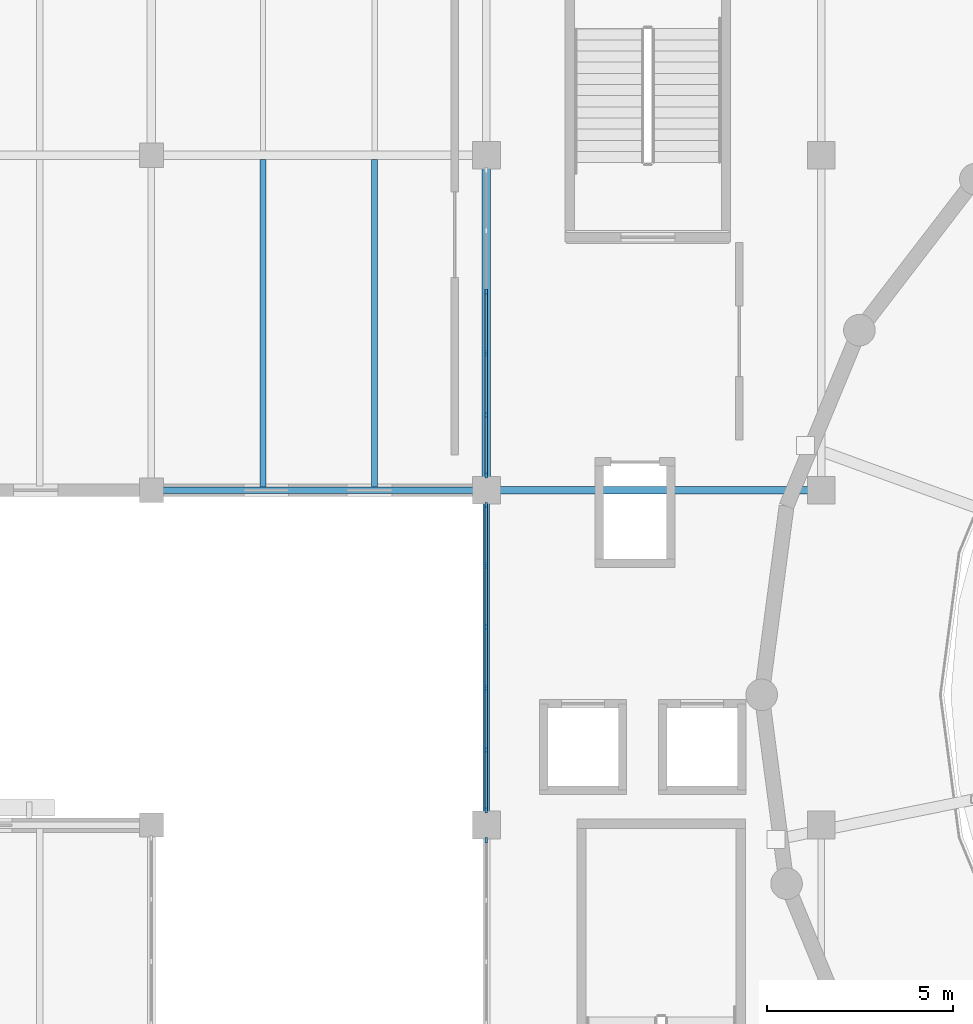
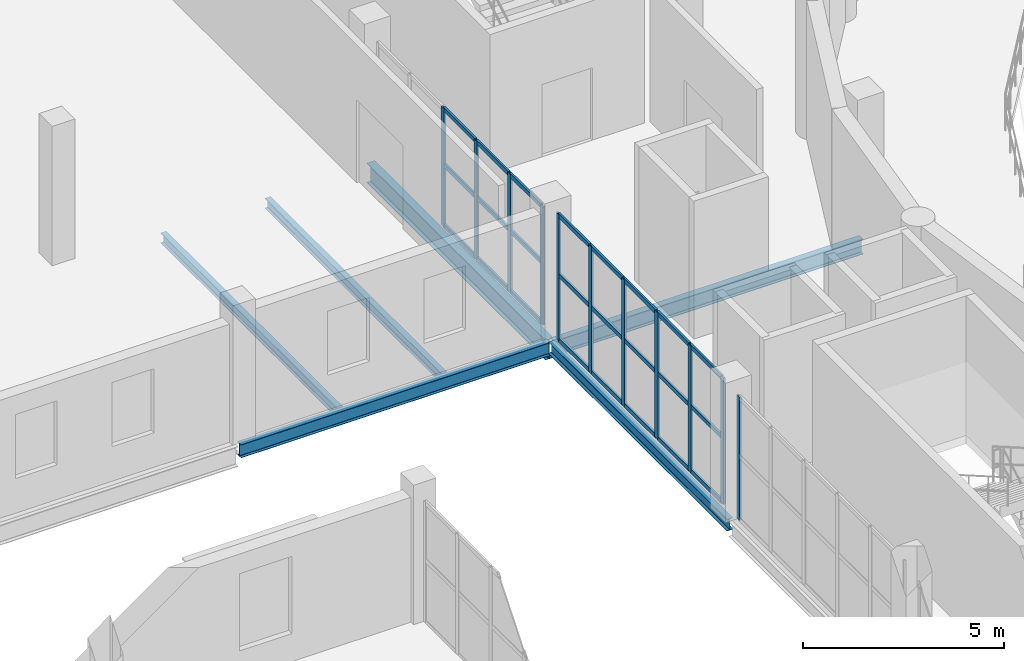
# One storey, part 26 of 85: 35 members, 6 beams, 3 elements without a shape of their own.
"""IFC4 building model written with IfcOpenShell, lengths in metres."""

import ifcopenshell
import ifcopenshell.guid

model = None  # the IFC model being written
_history = None  # IfcOwnerHistory: only IFC2X3 demands one
_inside = {}  # id of a spatial element -> (the spatial element, [elements in it])
_under = {}  # id of a project, library or spatial element -> (it, [spatial elements below it])
_declared = {}  # id of a project -> (the project, [libraries it declares])
_typed = {}  # id of a type object -> (the type object, [elements of that type])
_made_of = {}  # id of a material, layer set ... -> (it, [elements and type objects made of it])


def new_model(schema):
    """Start an empty IFC model of exactly this schema.

    Asked for "IFC4X3", IfcOpenShell would pick the latest addendum, in which some entities
    have other attributes; the version numbers below select the first issue.
    IFC2X3 requires an IfcOwnerHistory on every rooted entity: one is made here for all.
    """
    global model, _history
    if schema == "IFC4X3":
        model = ifcopenshell.file(schema_version=(4, 3, 0, 0))
    else:
        model = ifcopenshell.file(schema=schema)
    _inside.clear()
    _under.clear()
    _declared.clear()
    _typed.clear()
    _made_of.clear()
    _history = None
    if model.schema == "IFC2X3":
        org = make("IfcOrganization", Name="unknown")
        user = make(
            "IfcPersonAndOrganization",
            ThePerson=make("IfcPerson", FamilyName="unknown"),
            TheOrganization=org,
        )
        app = make(
            "IfcApplication",
            ApplicationDeveloper=org,
            Version="unknown",
            ApplicationFullName="unknown",
            ApplicationIdentifier="unknown",
        )
        _history = make(
            "IfcOwnerHistory",
            OwningUser=user,
            OwningApplication=app,
            ChangeAction="ADDED",
            CreationDate=0,
        )
    return model


def make(cls, **values):
    """One entity of the class cls with the attributes given. An attribute that is None is left unset."""
    return model.create_entity(
        cls, **{name: value for name, value in values.items() if value is not None}
    )


def rooted(cls, **values):
    """An entity with a GlobalId (a new one), such as an element, a storey or a relation."""
    return make(cls, GlobalId=ifcopenshell.guid.new(), OwnerHistory=_history, **values)


def si_unit(unit_type, name, prefix=None):
    """IfcSIUnit, for example si_unit("LENGTHUNIT", "METRE", prefix="MILLI")."""
    return make("IfcSIUnit", UnitType=unit_type, Prefix=prefix, Name=name)


def assignment(units):
    """IfcUnitAssignment: the units of a project."""
    return None if units is None else make("IfcUnitAssignment", Units=units)


def point(xyz):
    """IfcCartesianPoint."""
    return None if xyz is None else make("IfcCartesianPoint", Coordinates=xyz)


def direction(xyz):
    """IfcDirection."""
    return None if xyz is None else make("IfcDirection", DirectionRatios=xyz)


def frame(location, z_axis=None, x_axis=None):
    """IfcAxis2Placement3D, a coordinate frame: its origin and axes. An axis left out is left unset."""
    return make(
        "IfcAxis2Placement3D",
        Location=point(location),
        Axis=direction(z_axis),
        RefDirection=direction(x_axis),
    )


def frame_2d(location, x_axis=None):
    """IfcAxis2Placement2D, a coordinate frame in the plane: its origin and x axis."""
    return make(
        "IfcAxis2Placement2D", Location=point(location), RefDirection=direction(x_axis)
    )


def origin():
    """The frame at (0, 0, 0) with its axes left unset."""
    return frame((0.0, 0.0, 0.0))


def origin_2d():
    """The frame at (0, 0) in the plane with its x axis left unset."""
    return frame_2d((0.0, 0.0))


def place(relative_to, where):
    """IfcLocalPlacement: puts the frame where relative to a parent placement (None: the world)."""
    return make(
        "IfcLocalPlacement", PlacementRelTo=relative_to, RelativePlacement=where
    )


def context(
    kind, dimensions, precision=None, world=None, true_north=None, identifier=None
):
    """IfcGeometricRepresentationContext, for example the 3D "Model" context."""
    return make(
        "IfcGeometricRepresentationContext",
        ContextIdentifier=identifier,
        ContextType=kind,
        CoordinateSpaceDimension=dimensions,
        Precision=precision,
        WorldCoordinateSystem=world,
        TrueNorth=true_north,
    )


def subcontext(parent, identifier, kind, view, scale=None):
    """IfcGeometricRepresentationSubContext, for example "Body" below "Model"."""
    return make(
        "IfcGeometricRepresentationSubContext",
        ContextIdentifier=identifier,
        ContextType=kind,
        ParentContext=parent,
        TargetScale=scale,
        TargetView=view,
    )


def project(units=None, contexts=None):
    """IfcProject with its units and contexts."""
    return rooted(
        "IfcProject",
        Name="project",
        RepresentationContexts=contexts,
        UnitsInContext=assignment(units),
    )


def spatial(cls, under=None, at=None, **own):
    """A site, building, storey or space (cls), placed at a placement, below another one or the project."""
    s = rooted(cls, ObjectPlacement=at, **own)
    if under is not None:
        _under.setdefault(under.id(), (under, []))[1].append(s)
    return s


def profile(cls, at=None, kind="AREA", **sizes):
    """A parametric profile (cls). Its sizes go by their IFC names, for example OverallWidth=200.0."""
    return make(cls, ProfileType=kind, Position=at, **sizes)


def rectangle(**sizes):
    """IfcRectangleProfileDef."""
    return profile("IfcRectangleProfileDef", **sizes)


def i_section(**sizes):
    """IfcIShapeProfileDef."""
    return profile("IfcIShapeProfileDef", **sizes)


def extrude(swept, where, along, depth):
    """IfcExtrudedAreaSolid: the profile swept, set in the frame where, extruded along a direction by depth."""
    return make(
        "IfcExtrudedAreaSolid",
        SweptArea=swept,
        Position=where,
        ExtrudedDirection=direction(along),
        Depth=depth,
    )


def shape(context_of_items, identifier, shape_type, items):
    """IfcShapeRepresentation: the items that make up one representation, for example the "Body"."""
    return make(
        "IfcShapeRepresentation",
        ContextOfItems=context_of_items,
        RepresentationIdentifier=identifier,
        RepresentationType=shape_type,
        Items=items,
    )


def material(Name=None, Category=None):
    """IfcMaterial."""
    return make("IfcMaterial", Name=Name, Category=Category)


def layer(
    of_material, thickness, ventilated=None, Name=None, Category=None, Priority=None
):
    """IfcMaterialLayer: one layer of a wall or slab, of a material (None: an air gap)."""
    return make(
        "IfcMaterialLayer",
        Material=of_material,
        LayerThickness=thickness,
        IsVentilated=ventilated,
        Name=Name,
        Category=Category,
        Priority=Priority,
    )


def layer_set(layers, Name=None):
    """IfcMaterialLayerSet."""
    return make("IfcMaterialLayerSet", MaterialLayers=layers, LayerSetName=Name)


def material_profile(
    of_material, cross_section, Name=None, Category=None, Priority=None
):
    """IfcMaterialProfile: a cross section and its material."""
    return make(
        "IfcMaterialProfile",
        Name=Name,
        Material=of_material,
        Profile=cross_section,
        Priority=Priority,
        Category=Category,
    )


def profile_set(profiles, Name=None, composite=None):
    """IfcMaterialProfileSet."""
    return make(
        "IfcMaterialProfileSet",
        Name=Name,
        MaterialProfiles=profiles,
        CompositeProfile=composite,
    )


def made_of(thing, what):
    """Note that an element or type object is made of a material, layer set ...; save() writes the relation."""
    if what is not None:
        _made_of.setdefault(what.id(), (what, []))[1].append(thing)
    return thing


def type_object(cls, material=None, **own):
    """A type object (cls), such as IfcWallType, which elements share."""
    return made_of(rooted(cls, **own), material)


def element(
    cls,
    number,
    at=None,
    inside=None,
    cuts=None,
    type_object=None,
    material=None,
    context=None,
    identifier="Body",
    shape_type=None,
    held_by="IfcProductDefinitionShape",
    body=None,
    shapes=None,
    **own,
):
    """One element of the class cls, such as IfcWall. Its Tag is "e" and its number.

    at: its placement. inside: the storey or other place that contains it. cuts: it is an
    opening in that element (IfcRelVoidsElement). A single representation is given by context,
    identifier, shape_type and body (its items); several are given by shapes. held_by: the class
    of the entity that holds the representations. save() writes the other relations.
    """
    e = rooted(cls, Tag="e%d" % number, ObjectPlacement=at, **own)
    if body is not None:
        shapes = [shape(context, identifier, shape_type, body)]
    if shapes is not None:
        e.Representation = make(held_by, Representations=shapes)
    if inside is not None:
        _inside.setdefault(inside.id(), (inside, []))[1].append(e)
    if cuts is not None:
        rooted(
            "IfcRelVoidsElement", RelatingBuildingElement=cuts, RelatedOpeningElement=e
        )
    if type_object is not None:
        _typed.setdefault(type_object.id(), (type_object, []))[1].append(e)
    return made_of(e, material)


def aggregate(whole, parts):
    """IfcRelAggregates: a whole, such as a stair, and the parts it consists of."""
    return rooted("IfcRelAggregates", RelatingObject=whole, RelatedObjects=parts)


def save(model, path):
    """Write the relations noted so far, then the file.

    IfcRelAggregates (storeys below a building ...), IfcRelContainedInSpatialStructure (elements
    in a storey), IfcRelDefinesByType, IfcRelAssociatesMaterial and IfcRelDeclares: one each for
    every whole, place, type object, material and project.
    """
    for whole, parts in _under.values():
        aggregate(whole, parts)
    for where, things in _inside.values():
        rooted(
            "IfcRelContainedInSpatialStructure",
            RelatedElements=things,
            RelatingStructure=where,
        )
    for kind, things in _typed.values():
        rooted("IfcRelDefinesByType", RelatedObjects=things, RelatingType=kind)
    for what, things in _made_of.values():
        rooted("IfcRelAssociatesMaterial", RelatedObjects=things, RelatingMaterial=what)
    for by, libraries in _declared.values():
        rooted("IfcRelDeclares", RelatingContext=by, RelatedDefinitions=libraries)
    model.write(path)


model = new_model("IFC4")

# Units and contexts
model_context = context("Model", 3, precision=1e-05, world=origin(), true_north=direction((0.0, 1.0)))
body_context = subcontext(model_context, "Body", "Model", "MODEL_VIEW")
ifc_project = project(units=[si_unit("LENGTHUNIT", "METRE"), si_unit("AREAUNIT", "SQUARE_METRE"), si_unit("VOLUMEUNIT", "CUBIC_METRE"), si_unit("PLANEANGLEUNIT", "RADIAN"), si_unit("MASSUNIT", "GRAM", prefix="KILO")], contexts=[model_context])

# Site, building, storey
site_placement = place(None, origin())
site = spatial("IfcSite", under=ifc_project, at=site_placement, CompositionType="ELEMENT")
building_placement = place(site_placement, origin())
building = spatial("IfcBuilding", under=site, at=building_placement, Name="Marnock Terrace Opera House", CompositionType="ELEMENT")
storey_placement = place(building_placement, frame((0.0, 0.0, 10.199951171875)))
storey = spatial("IfcBuildingStorey", under=building, at=storey_placement, Name="L02", CompositionType="ELEMENT", Elevation=10.199951171875)

# Beams
ifc_material_1 = material(Name="Steel Grade 350 (AS/NZS 3679.1)", Category="steel")
ifc_material_profile_1 = material_profile(ifc_material_1, i_section(OverallWidth=0.1708984375, OverallDepth=0.355712890625, WebThickness=0.00732421875, FlangeThickness=0.011474609375, FilletRadius=0.011474609375, at=origin_2d()))
ifc_profile_set_1 = profile_set([ifc_material_profile_1], Name="Steel Grade 350 (AS/NZS 3679.1)")
beam_type_1 = type_object("IfcBeamType", Name="BM-GIRD-360", PredefinedType="BEAM", material=ifc_profile_set_1)
beam_1_placement = place(storey_placement, frame((55.0, 57.050048828125, -0.437744140625), z_axis=(0.0, 1.0, 0.0), x_axis=(-1.0, 0.0, 0.0)))
element("IfcBeam", 1, at=beam_1_placement, inside=storey, type_object=beam_type_1, Name="L02 girder (X=55.0, 57.0..66.0)", PredefinedType="BEAM", context=body_context, shape_type="SweptSolid", body=[
    extrude(i_section(OverallWidth=0.1708984375, OverallDepth=0.355712890625, WebThickness=0.00732421875, FlangeThickness=0.011474609375, FilletRadius=0.011474609375, at=origin_2d()), origin(), (0.0, 0.0, 1.0), 8.89990234375),
])
ifc_material_profile_2 = material_profile(ifc_material_1, i_section(OverallWidth=0.177978515625, OverallDepth=0.402587890625, WebThickness=0.007568359375, FlangeThickness=0.010986328125, FilletRadius=0.011474609375, at=origin_2d()))
ifc_profile_set_2 = profile_set([ifc_material_profile_2], Name="Steel Grade 350 (AS/NZS 3679.1)")
beam_type_2 = type_object("IfcBeamType", Name="BM-GIRD-410", PredefinedType="BEAM", material=ifc_profile_set_2)
beam_2_placement = place(storey_placement, frame((46.050048828125, 66.0, -0.461181640625), z_axis=(1.0, 0.0, 0.0), x_axis=(0.0, 1.0, 0.0)))
element("IfcBeam", 2, at=beam_2_placement, inside=storey, type_object=beam_type_2, Name="L02 girder (46.0..55.0, Y=66.0)", PredefinedType="BEAM", context=body_context, shape_type="SweptSolid", body=[
    extrude(i_section(OverallWidth=0.177978515625, OverallDepth=0.402587890625, WebThickness=0.007568359375, FlangeThickness=0.010986328125, FilletRadius=0.011474609375, at=origin_2d()), origin(), (0.0, 0.0, 1.0), 8.89990234375),
])
ifc_material_profile_3 = material_profile(ifc_material_1, i_section(OverallWidth=0.19091796875, OverallDepth=0.46044921875, WebThickness=0.010009765625, FlangeThickness=0.01611328125, FilletRadius=0.011474609375, at=origin_2d()))
ifc_profile_set_3 = profile_set([ifc_material_profile_3], Name="Steel Grade 350 (AS/NZS 3679.1)")
beam_type_3 = type_object("IfcBeamType", Name="BM-GIRD-460A", PredefinedType="BEAM", material=ifc_profile_set_3)
beam_3_placement = place(storey_placement, frame((55.050048828125, 66.0, -0.490234375), z_axis=(1.0, 0.0, 0.0), x_axis=(0.0, 1.0, 0.0)))
element("IfcBeam", 3, at=beam_3_placement, inside=storey, type_object=beam_type_3, Name="L02 girder (55.0..64.0, Y=66.0)", PredefinedType="BEAM", context=body_context, shape_type="SweptSolid", body=[
    extrude(i_section(OverallWidth=0.19091796875, OverallDepth=0.46044921875, WebThickness=0.010009765625, FlangeThickness=0.01611328125, FilletRadius=0.011474609375, at=origin_2d()), origin(), (0.0, 0.0, 1.0), 8.89990234375),
])
ifc_material_profile_4 = material_profile(ifc_material_1, i_section(OverallWidth=0.22802734375, OverallDepth=0.60205078125, WebThickness=0.010498046875, FlangeThickness=0.014892578125, FilletRadius=0.013916015625, at=origin_2d()))
ifc_profile_set_4 = profile_set([ifc_material_profile_4], Name="Steel Grade 350 (AS/NZS 3679.1)")
beam_type_4 = type_object("IfcBeamType", Name="BM-GIRD-610C", PredefinedType="BEAM", material=ifc_profile_set_4)
beam_4_placement = place(storey_placement, frame((55.0, 66.050048828125, -0.56103515625), z_axis=(0.0, 1.0, 0.0), x_axis=(-1.0, 0.0, 0.0)))
element("IfcBeam", 4, at=beam_4_placement, inside=storey, type_object=beam_type_4, Name="L02 girder (X=55.0, 66.0..75.0)", PredefinedType="BEAM", context=body_context, shape_type="SweptSolid", body=[
    extrude(i_section(OverallWidth=0.22802734375, OverallDepth=0.60205078125, WebThickness=0.010498046875, FlangeThickness=0.014892578125, FilletRadius=0.013916015625, at=origin_2d()), origin(), (0.0, 0.0, 1.0), 8.89990234375),
])
ifc_material_profile_5 = material_profile(ifc_material_1, i_section(OverallWidth=0.1650390625, OverallDepth=0.3037109375, WebThickness=0.006103515625, FlangeThickness=0.01025390625, FilletRadius=0.011474609375, at=origin_2d()))
ifc_profile_set_5 = profile_set([ifc_material_profile_5], Name="Steel Grade 350 (AS/NZS 3679.1)")
beam_type_5 = type_object("IfcBeamType", Name="BM-JOIST-310B", PredefinedType="JOIST", material=ifc_profile_set_5)
for number, where, z_axis, x_axis, name in (
    (5, (49.0, 66.083984375, -0.411865234375), (0.0, 1.0, 0.0), (-1.0, 0.0, 0.0), "L02 secondary joist 5.8.1"),
    (6, (52.0, 66.083984375, -0.411865234375), (0.0, 1.0, 0.0), (-1.0, 0.0, 0.0), "L02 secondary joist 5.8.2"),
):
    element("IfcBeam", number, at=place(storey_placement, frame(where, z_axis=z_axis, x_axis=x_axis)), inside=storey, type_object=beam_type_5, Name=name, PredefinedType="JOIST", context=body_context, shape_type="SweptSolid", body=[
        extrude(i_section(OverallWidth=0.1650390625, OverallDepth=0.3037109375, WebThickness=0.006103515625, FlangeThickness=0.01025390625, FilletRadius=0.011474609375, at=origin_2d()), origin(), (0.0, 0.0, 1.0), 8.806396484375),
    ])

# Curtain wall, member
ifc_material_2 = material(Name="Anodised architectural bronze aluminium framing", Category="aluminium")
ifc_layer = layer(ifc_material_2, 0.159912109375)
ifc_layer_set = layer_set([ifc_layer], Name="Anodised architectural bronze aluminium framing")
curtain_wall_type = type_object("IfcCurtainWallType", Name="CW-FOYER-90x42", PredefinedType="NOTDEFINED", material=ifc_layer_set)
curtain_wall_1_placement = place(storey_placement, origin())
curtain_wall_1 = element("IfcCurtainWall", 7, at=curtain_wall_1_placement, inside=storey, type_object=curtain_wall_type, Name="L02 glazed Beaux-Arts colonnade curtain wall CW-V1W-L02-06", PredefinedType="NOTDEFINED")
ifc_material_profile_6 = material_profile(ifc_material_2, rectangle(XDim=0.06005859375, YDim=0.14990234375, at=origin_2d()))
ifc_profile_set_6 = profile_set([ifc_material_profile_6], Name="Anodised architectural bronze aluminium framing")
member_type_1 = type_object("IfcMemberType", Name="CWM-60x150", PredefinedType="MULLION", material=ifc_profile_set_6)
member_1_placement = place(storey_placement, frame((55.0, 56.59912109375, 0.0), z_axis=(0.0, 0.0, 1.0), x_axis=(-1.0, 0.0, 0.0)))
member_1 = element("IfcMember", 8, at=member_1_placement, type_object=member_type_1, Name="CW-68 mullion 6", PredefinedType="MULLION", context=body_context, shape_type="SweptSolid", body=[
    extrude(rectangle(XDim=0.06005859375, YDim=0.14990234375, at=origin_2d()), origin(), (0.0, 0.0, 1.0), 3.752685546875),
])
aggregate(curtain_wall_1, [member_1])

# Curtain wall, members
curtain_wall_2_placement = place(storey_placement, origin())
curtain_wall_2 = element("IfcCurtainWall", 9, at=curtain_wall_2_placement, inside=storey, type_object=curtain_wall_type, Name="L02 glazed Beaux-Arts colonnade curtain wall CW-V1W-L02-07", PredefinedType="NOTDEFINED")
member_2_placement = place(storey_placement, frame((55.0, 57.40087890625, 0.0), z_axis=(0.0, 0.0, 1.0), x_axis=(-1.0, 0.0, 0.0)))
member_2 = element("IfcMember", 10, at=member_2_placement, type_object=member_type_1, Name="CW-68 mullion 1", PredefinedType="MULLION", context=body_context, shape_type="SweptSolid", body=[
    extrude(rectangle(XDim=0.06005859375, YDim=0.14990234375, at=origin_2d()), origin(), (0.0, 0.0, 1.0), 3.844482421875),
])
member_3_placement = place(storey_placement, frame((55.0, 59.022705078125, 0.0), z_axis=(0.0, 0.0, 1.0), x_axis=(-1.0, 0.0, 0.0)))
member_3 = element("IfcMember", 11, at=member_3_placement, type_object=member_type_1, Name="CW-68 mullion 2", PredefinedType="MULLION", context=body_context, shape_type="SweptSolid", body=[
    extrude(rectangle(XDim=0.06005859375, YDim=0.14990234375, at=origin_2d()), origin(), (0.0, 0.0, 1.0), 3.844482421875),
])
member_4_placement = place(storey_placement, frame((55.0, 60.67431640625, 0.0), z_axis=(0.0, 0.0, 1.0), x_axis=(-1.0, 0.0, 0.0)))
member_4 = element("IfcMember", 12, at=member_4_placement, type_object=member_type_1, Name="CW-68 mullion 3", PredefinedType="MULLION", context=body_context, shape_type="SweptSolid", body=[
    extrude(rectangle(XDim=0.06005859375, YDim=0.14990234375, at=origin_2d()), origin(), (0.0, 0.0, 1.0), 3.844482421875),
])
member_5_placement = place(storey_placement, frame((55.0, 62.32568359375, 0.0), z_axis=(0.0, 0.0, 1.0), x_axis=(-1.0, 0.0, 0.0)))
member_5 = element("IfcMember", 13, at=member_5_placement, type_object=member_type_1, Name="CW-68 mullion 4", PredefinedType="MULLION", context=body_context, shape_type="SweptSolid", body=[
    extrude(rectangle(XDim=0.06005859375, YDim=0.14990234375, at=origin_2d()), origin(), (0.0, 0.0, 1.0), 3.844482421875),
])
member_6_placement = place(storey_placement, frame((55.0, 63.977294921875, 0.0), z_axis=(0.0, 0.0, 1.0), x_axis=(-1.0, 0.0, 0.0)))
member_6 = element("IfcMember", 14, at=member_6_placement, type_object=member_type_1, Name="CW-68 mullion 5", PredefinedType="MULLION", context=body_context, shape_type="SweptSolid", body=[
    extrude(rectangle(XDim=0.06005859375, YDim=0.14990234375, at=origin_2d()), origin(), (0.0, 0.0, 1.0), 3.844482421875),
])
member_7_placement = place(storey_placement, frame((55.0, 65.59912109375, 0.0), z_axis=(0.0, 0.0, 1.0), x_axis=(-1.0, 0.0, 0.0)))
member_7 = element("IfcMember", 15, at=member_7_placement, type_object=member_type_1, Name="CW-68 mullion 6", PredefinedType="MULLION", context=body_context, shape_type="SweptSolid", body=[
    extrude(rectangle(XDim=0.06005859375, YDim=0.14990234375, at=origin_2d()), origin(), (0.0, 0.0, 1.0), 3.844482421875),
])

curtain_wall_3_placement = place(storey_placement, origin())
curtain_wall_3 = element("IfcCurtainWall", 16, at=curtain_wall_3_placement, inside=storey, type_object=curtain_wall_type, Name="L02 glazed Beaux-Arts colonnade curtain wall CW-V1W-L02-08", PredefinedType="NOTDEFINED")
member_8_placement = place(storey_placement, frame((55.0, 66.40087890625, 0.0), z_axis=(0.0, 0.0, 1.0), x_axis=(-1.0, 0.0, 0.0)))
member_8 = element("IfcMember", 17, at=member_8_placement, type_object=member_type_1, Name="CW-68 mullion 1", PredefinedType="MULLION", context=body_context, shape_type="SweptSolid", body=[
    extrude(rectangle(XDim=0.06005859375, YDim=0.14990234375, at=origin_2d()), origin(), (0.0, 0.0, 1.0), 3.59814453125),
])
member_9_placement = place(storey_placement, frame((55.0, 68.022705078125, 0.0), z_axis=(0.0, 0.0, 1.0), x_axis=(-1.0, 0.0, 0.0)))
member_9 = element("IfcMember", 18, at=member_9_placement, type_object=member_type_1, Name="CW-68 mullion 2", PredefinedType="MULLION", context=body_context, shape_type="SweptSolid", body=[
    extrude(rectangle(XDim=0.06005859375, YDim=0.14990234375, at=origin_2d()), origin(), (0.0, 0.0, 1.0), 3.59814453125),
])
member_10_placement = place(storey_placement, frame((55.0, 69.67431640625, 0.0), z_axis=(0.0, 0.0, 1.0), x_axis=(-1.0, 0.0, 0.0)))
member_10 = element("IfcMember", 19, at=member_10_placement, type_object=member_type_1, Name="CW-68 mullion 3", PredefinedType="MULLION", context=body_context, shape_type="SweptSolid", body=[
    extrude(rectangle(XDim=0.06005859375, YDim=0.14990234375, at=origin_2d()), origin(), (0.0, 0.0, 1.0), 3.59814453125),
])
member_11_placement = place(storey_placement, frame((55.0, 71.32568359375, 0.0), z_axis=(0.0, 0.0, 1.0), x_axis=(-1.0, 0.0, 0.0)))
member_11 = element("IfcMember", 20, at=member_11_placement, type_object=member_type_1, Name="CW-68 mullion 4", PredefinedType="MULLION", context=body_context, shape_type="SweptSolid", body=[
    extrude(rectangle(XDim=0.06005859375, YDim=0.14990234375, at=origin_2d()), origin(), (0.0, 0.0, 1.0), 3.59814453125),
])

# Member
ifc_material_profile_7 = material_profile(ifc_material_2, rectangle(XDim=0.06005859375, YDim=0.1298828125, at=origin_2d()))
ifc_profile_set_7 = profile_set([ifc_material_profile_7], Name="Anodised architectural bronze aluminium framing")
member_type_2 = type_object("IfcMemberType", Name="CWT-60x130", PredefinedType="USERDEFINED", material=ifc_profile_set_7)
member_12_placement = place(storey_placement, frame((55.0, 57.430908203125, 0.030029296875), z_axis=(0.0, 1.0, 0.0), x_axis=(-1.0, 0.0, 0.0)))
member_12 = element("IfcMember", 21, at=member_12_placement, type_object=member_type_2, Name="CW-68 transom 1.1", ObjectType="TRANSOM", PredefinedType="USERDEFINED", context=body_context, shape_type="SweptSolid", body=[
    extrude(rectangle(XDim=0.06005859375, YDim=0.1298828125, at=origin_2d()), origin(), (0.0, 0.0, 1.0), 1.561767578125),
])

member_13_placement = place(storey_placement, frame((55.0, 57.430908203125, 1.999267578125), z_axis=(0.0, 1.0, 0.0), x_axis=(-1.0, 0.0, 0.0)))
member_13 = element("IfcMember", 22, at=member_13_placement, type_object=member_type_2, Name="CW-68 transom 1.2", ObjectType="TRANSOM", PredefinedType="USERDEFINED", context=body_context, shape_type="SweptSolid", body=[
    extrude(rectangle(XDim=0.06005859375, YDim=0.1298828125, at=origin_2d()), origin(), (0.0, 0.0, 1.0), 1.561767578125),
])

member_14_placement = place(storey_placement, frame((55.0, 57.430908203125, 3.814453125), z_axis=(0.0, 1.0, 0.0), x_axis=(-1.0, 0.0, 0.0)))
member_14 = element("IfcMember", 23, at=member_14_placement, type_object=member_type_2, Name="CW-68 transom 1.3", ObjectType="TRANSOM", PredefinedType="USERDEFINED", context=body_context, shape_type="SweptSolid", body=[
    extrude(rectangle(XDim=0.06005859375, YDim=0.1298828125, at=origin_2d()), origin(), (0.0, 0.0, 1.0), 1.561767578125),
])

member_15_placement = place(storey_placement, frame((55.0, 59.052490234375, 0.030029296875), z_axis=(0.0, 1.0, 0.0), x_axis=(-1.0, 0.0, 0.0)))
member_15 = element("IfcMember", 24, at=member_15_placement, type_object=member_type_2, Name="CW-68 transom 2.1", ObjectType="TRANSOM", PredefinedType="USERDEFINED", context=body_context, shape_type="SweptSolid", body=[
    extrude(rectangle(XDim=0.06005859375, YDim=0.1298828125, at=origin_2d()), origin(), (0.0, 0.0, 1.0), 1.591796875),
])

member_16_placement = place(storey_placement, frame((55.0, 59.052490234375, 1.999267578125), z_axis=(0.0, 1.0, 0.0), x_axis=(-1.0, 0.0, 0.0)))
member_16 = element("IfcMember", 25, at=member_16_placement, type_object=member_type_2, Name="CW-68 transom 2.2", ObjectType="TRANSOM", PredefinedType="USERDEFINED", context=body_context, shape_type="SweptSolid", body=[
    extrude(rectangle(XDim=0.06005859375, YDim=0.1298828125, at=origin_2d()), origin(), (0.0, 0.0, 1.0), 1.591796875),
])

member_17_placement = place(storey_placement, frame((55.0, 59.052490234375, 3.814453125), z_axis=(0.0, 1.0, 0.0), x_axis=(-1.0, 0.0, 0.0)))
member_17 = element("IfcMember", 26, at=member_17_placement, type_object=member_type_2, Name="CW-68 transom 2.3", ObjectType="TRANSOM", PredefinedType="USERDEFINED", context=body_context, shape_type="SweptSolid", body=[
    extrude(rectangle(XDim=0.06005859375, YDim=0.1298828125, at=origin_2d()), origin(), (0.0, 0.0, 1.0), 1.591796875),
])

member_18_placement = place(storey_placement, frame((55.0, 60.7041015625, 0.030029296875), z_axis=(0.0, 1.0, 0.0), x_axis=(-1.0, 0.0, 0.0)))
member_18 = element("IfcMember", 27, at=member_18_placement, type_object=member_type_2, Name="CW-68 transom 3.1", ObjectType="TRANSOM", PredefinedType="USERDEFINED", context=body_context, shape_type="SweptSolid", body=[
    extrude(rectangle(XDim=0.06005859375, YDim=0.1298828125, at=origin_2d()), origin(), (0.0, 0.0, 1.0), 1.591796875),
])

member_19_placement = place(storey_placement, frame((55.0, 60.7041015625, 1.999267578125), z_axis=(0.0, 1.0, 0.0), x_axis=(-1.0, 0.0, 0.0)))
member_19 = element("IfcMember", 28, at=member_19_placement, type_object=member_type_2, Name="CW-68 transom 3.2", ObjectType="TRANSOM", PredefinedType="USERDEFINED", context=body_context, shape_type="SweptSolid", body=[
    extrude(rectangle(XDim=0.06005859375, YDim=0.1298828125, at=origin_2d()), origin(), (0.0, 0.0, 1.0), 1.591796875),
])

member_20_placement = place(storey_placement, frame((55.0, 60.7041015625, 3.814453125), z_axis=(0.0, 1.0, 0.0), x_axis=(-1.0, 0.0, 0.0)))
member_20 = element("IfcMember", 29, at=member_20_placement, type_object=member_type_2, Name="CW-68 transom 3.3", ObjectType="TRANSOM", PredefinedType="USERDEFINED", context=body_context, shape_type="SweptSolid", body=[
    extrude(rectangle(XDim=0.06005859375, YDim=0.1298828125, at=origin_2d()), origin(), (0.0, 0.0, 1.0), 1.591796875),
])

member_21_placement = place(storey_placement, frame((55.0, 62.355712890625, 0.030029296875), z_axis=(0.0, 1.0, 0.0), x_axis=(-1.0, 0.0, 0.0)))
member_21 = element("IfcMember", 30, at=member_21_placement, type_object=member_type_2, Name="CW-68 transom 4.1", ObjectType="TRANSOM", PredefinedType="USERDEFINED", context=body_context, shape_type="SweptSolid", body=[
    extrude(rectangle(XDim=0.06005859375, YDim=0.1298828125, at=origin_2d()), origin(), (0.0, 0.0, 1.0), 1.591796875),
])

member_22_placement = place(storey_placement, frame((55.0, 62.355712890625, 1.999267578125), z_axis=(0.0, 1.0, 0.0), x_axis=(-1.0, 0.0, 0.0)))
member_22 = element("IfcMember", 31, at=member_22_placement, type_object=member_type_2, Name="CW-68 transom 4.2", ObjectType="TRANSOM", PredefinedType="USERDEFINED", context=body_context, shape_type="SweptSolid", body=[
    extrude(rectangle(XDim=0.06005859375, YDim=0.1298828125, at=origin_2d()), origin(), (0.0, 0.0, 1.0), 1.591796875),
])

member_23_placement = place(storey_placement, frame((55.0, 62.355712890625, 3.814453125), z_axis=(0.0, 1.0, 0.0), x_axis=(-1.0, 0.0, 0.0)))
member_23 = element("IfcMember", 32, at=member_23_placement, type_object=member_type_2, Name="CW-68 transom 4.3", ObjectType="TRANSOM", PredefinedType="USERDEFINED", context=body_context, shape_type="SweptSolid", body=[
    extrude(rectangle(XDim=0.06005859375, YDim=0.1298828125, at=origin_2d()), origin(), (0.0, 0.0, 1.0), 1.591796875),
])

member_24_placement = place(storey_placement, frame((55.0, 64.00732421875, 0.030029296875), z_axis=(0.0, 1.0, 0.0), x_axis=(-1.0, 0.0, 0.0)))
member_24 = element("IfcMember", 33, at=member_24_placement, type_object=member_type_2, Name="CW-68 transom 5.1", ObjectType="TRANSOM", PredefinedType="USERDEFINED", context=body_context, shape_type="SweptSolid", body=[
    extrude(rectangle(XDim=0.06005859375, YDim=0.1298828125, at=origin_2d()), origin(), (0.0, 0.0, 1.0), 1.561767578125),
])

member_25_placement = place(storey_placement, frame((55.0, 64.00732421875, 1.999267578125), z_axis=(0.0, 1.0, 0.0), x_axis=(-1.0, 0.0, 0.0)))
member_25 = element("IfcMember", 34, at=member_25_placement, type_object=member_type_2, Name="CW-68 transom 5.2", ObjectType="TRANSOM", PredefinedType="USERDEFINED", context=body_context, shape_type="SweptSolid", body=[
    extrude(rectangle(XDim=0.06005859375, YDim=0.1298828125, at=origin_2d()), origin(), (0.0, 0.0, 1.0), 1.561767578125),
])

member_26_placement = place(storey_placement, frame((55.0, 64.00732421875, 3.814453125), z_axis=(0.0, 1.0, 0.0), x_axis=(-1.0, 0.0, 0.0)))
member_26 = element("IfcMember", 35, at=member_26_placement, type_object=member_type_2, Name="CW-68 transom 5.3", ObjectType="TRANSOM", PredefinedType="USERDEFINED", context=body_context, shape_type="SweptSolid", body=[
    extrude(rectangle(XDim=0.06005859375, YDim=0.1298828125, at=origin_2d()), origin(), (0.0, 0.0, 1.0), 1.561767578125),
])

aggregate(curtain_wall_2, [member_2, member_3, member_4, member_5, member_6, member_7, member_12, member_13, member_14, member_15, member_16, member_17, member_18, member_19, member_20, member_21, member_22, member_23, member_24, member_25, member_26])

member_27_placement = place(storey_placement, frame((55.0, 66.430908203125, 0.030029296875), z_axis=(0.0, 1.0, 0.0), x_axis=(-1.0, 0.0, 0.0)))
member_27 = element("IfcMember", 36, at=member_27_placement, type_object=member_type_2, Name="CW-68 transom 1.1", ObjectType="TRANSOM", PredefinedType="USERDEFINED", context=body_context, shape_type="SweptSolid", body=[
    extrude(rectangle(XDim=0.06005859375, YDim=0.1298828125, at=origin_2d()), origin(), (0.0, 0.0, 1.0), 1.561767578125),
])

member_28_placement = place(storey_placement, frame((55.0, 66.430908203125, 1.87109375), z_axis=(0.0, 1.0, 0.0), x_axis=(-1.0, 0.0, 0.0)))
member_28 = element("IfcMember", 37, at=member_28_placement, type_object=member_type_2, Name="CW-68 transom 1.2", ObjectType="TRANSOM", PredefinedType="USERDEFINED", context=body_context, shape_type="SweptSolid", body=[
    extrude(rectangle(XDim=0.06005859375, YDim=0.1298828125, at=origin_2d()), origin(), (0.0, 0.0, 1.0), 1.561767578125),
])

member_29_placement = place(storey_placement, frame((55.0, 66.430908203125, 3.568115234375), z_axis=(0.0, 1.0, 0.0), x_axis=(-1.0, 0.0, 0.0)))
member_29 = element("IfcMember", 38, at=member_29_placement, type_object=member_type_2, Name="CW-68 transom 1.3", ObjectType="TRANSOM", PredefinedType="USERDEFINED", context=body_context, shape_type="SweptSolid", body=[
    extrude(rectangle(XDim=0.06005859375, YDim=0.1298828125, at=origin_2d()), origin(), (0.0, 0.0, 1.0), 1.561767578125),
])

member_30_placement = place(storey_placement, frame((55.0, 68.052490234375, 0.030029296875), z_axis=(0.0, 1.0, 0.0), x_axis=(-1.0, 0.0, 0.0)))
member_30 = element("IfcMember", 39, at=member_30_placement, type_object=member_type_2, Name="CW-68 transom 2.1", ObjectType="TRANSOM", PredefinedType="USERDEFINED", context=body_context, shape_type="SweptSolid", body=[
    extrude(rectangle(XDim=0.06005859375, YDim=0.1298828125, at=origin_2d()), origin(), (0.0, 0.0, 1.0), 1.591796875),
])

member_31_placement = place(storey_placement, frame((55.0, 68.052490234375, 1.87109375), z_axis=(0.0, 1.0, 0.0), x_axis=(-1.0, 0.0, 0.0)))
member_31 = element("IfcMember", 40, at=member_31_placement, type_object=member_type_2, Name="CW-68 transom 2.2", ObjectType="TRANSOM", PredefinedType="USERDEFINED", context=body_context, shape_type="SweptSolid", body=[
    extrude(rectangle(XDim=0.06005859375, YDim=0.1298828125, at=origin_2d()), origin(), (0.0, 0.0, 1.0), 1.591796875),
])

member_32_placement = place(storey_placement, frame((55.0, 68.052490234375, 3.568115234375), z_axis=(0.0, 1.0, 0.0), x_axis=(-1.0, 0.0, 0.0)))
member_32 = element("IfcMember", 41, at=member_32_placement, type_object=member_type_2, Name="CW-68 transom 2.3", ObjectType="TRANSOM", PredefinedType="USERDEFINED", context=body_context, shape_type="SweptSolid", body=[
    extrude(rectangle(XDim=0.06005859375, YDim=0.1298828125, at=origin_2d()), origin(), (0.0, 0.0, 1.0), 1.591796875),
])

member_33_placement = place(storey_placement, frame((55.0, 69.7041015625, 0.030029296875), z_axis=(0.0, 1.0, 0.0), x_axis=(-1.0, 0.0, 0.0)))
member_33 = element("IfcMember", 42, at=member_33_placement, type_object=member_type_2, Name="CW-68 transom 3.1", ObjectType="TRANSOM", PredefinedType="USERDEFINED", context=body_context, shape_type="SweptSolid", body=[
    extrude(rectangle(XDim=0.06005859375, YDim=0.1298828125, at=origin_2d()), origin(), (0.0, 0.0, 1.0), 1.591796875),
])

member_34_placement = place(storey_placement, frame((55.0, 69.7041015625, 1.87109375), z_axis=(0.0, 1.0, 0.0), x_axis=(-1.0, 0.0, 0.0)))
member_34 = element("IfcMember", 43, at=member_34_placement, type_object=member_type_2, Name="CW-68 transom 3.2", ObjectType="TRANSOM", PredefinedType="USERDEFINED", context=body_context, shape_type="SweptSolid", body=[
    extrude(rectangle(XDim=0.06005859375, YDim=0.1298828125, at=origin_2d()), origin(), (0.0, 0.0, 1.0), 1.591796875),
])

member_35_placement = place(storey_placement, frame((55.0, 69.7041015625, 3.568115234375), z_axis=(0.0, 1.0, 0.0), x_axis=(-1.0, 0.0, 0.0)))
member_35 = element("IfcMember", 44, at=member_35_placement, type_object=member_type_2, Name="CW-68 transom 3.3", ObjectType="TRANSOM", PredefinedType="USERDEFINED", context=body_context, shape_type="SweptSolid", body=[
    extrude(rectangle(XDim=0.06005859375, YDim=0.1298828125, at=origin_2d()), origin(), (0.0, 0.0, 1.0), 1.591796875),
])

aggregate(curtain_wall_3, [member_8, member_9, member_10, member_11, member_27, member_28, member_29, member_30, member_31, member_32, member_33, member_34, member_35])

save(model, "model.ifc")
